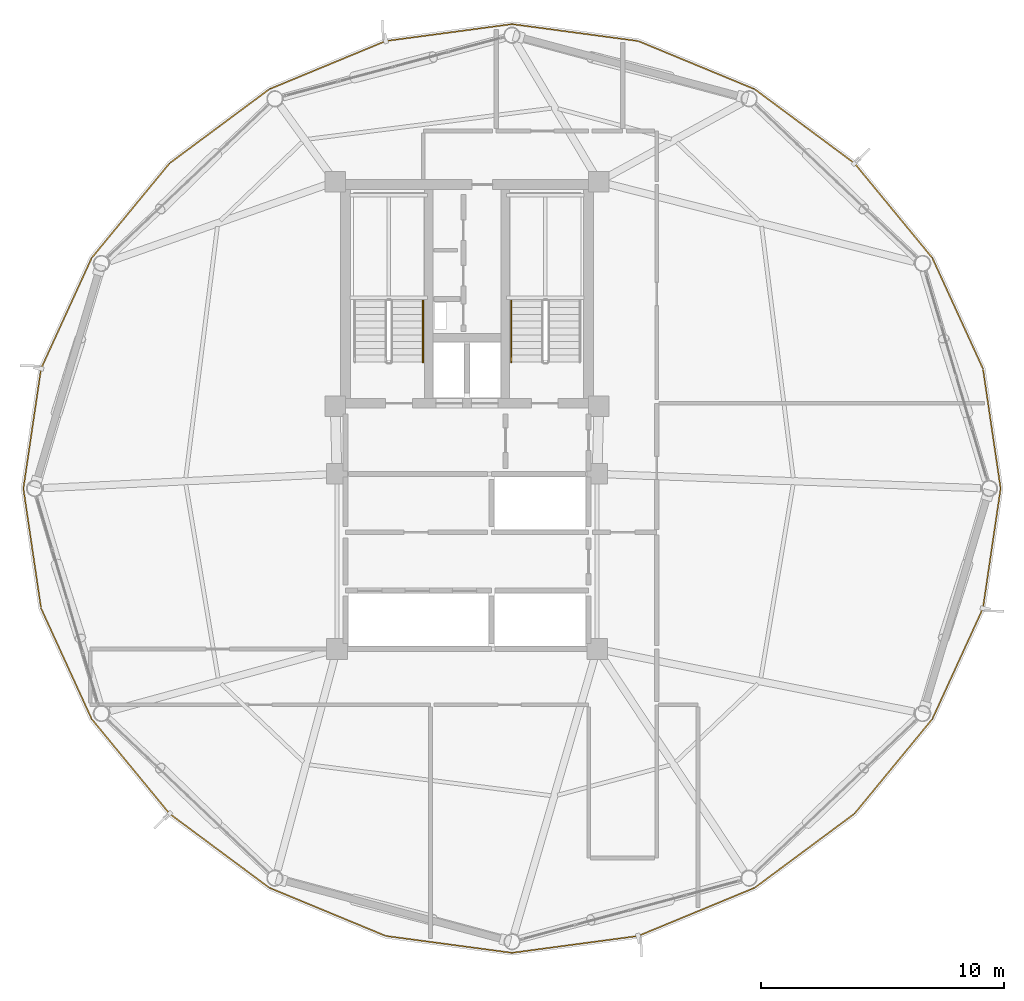
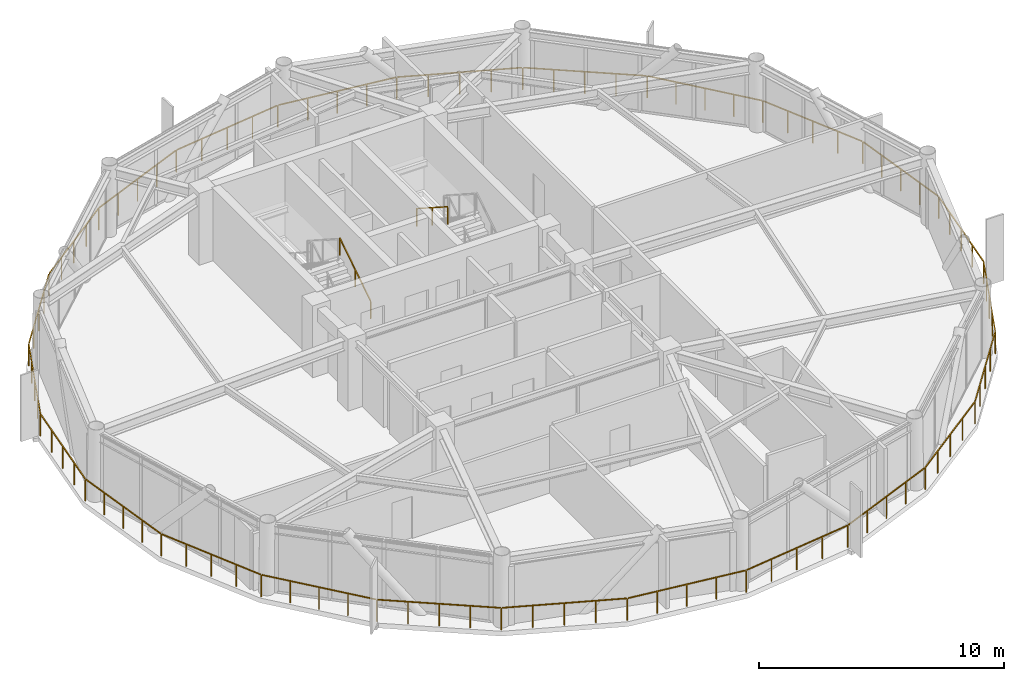
# One storey, part 26 of 28: 3 railings.
"""IFC4 building model written with IfcOpenShell, lengths in metres."""

from ifc_helpers import new_model, si_unit, direction, frame, origin, origin_2d, place, context, subcontext, project, spatial, rectangle, extrude, material, type_object, element, save


model = new_model("IFC4")

# Units and contexts
model_context = context("Model", 3, precision=1e-05, world=origin(), true_north=direction((0.0, 1.0)))
body_context = subcontext(model_context, "Body", "Model", "MODEL_VIEW")
ifc_project = project(units=[si_unit("LENGTHUNIT", "METRE"), si_unit("AREAUNIT", "SQUARE_METRE"), si_unit("VOLUMEUNIT", "CUBIC_METRE"), si_unit("PLANEANGLEUNIT", "RADIAN"), si_unit("MASSUNIT", "GRAM", prefix="KILO")], contexts=[model_context])

# Site, building, storey
site_placement = place(None, origin())
site = spatial("IfcSite", under=ifc_project, at=site_placement, CompositionType="ELEMENT")
building_placement = place(site_placement, origin())
building = spatial("IfcBuilding", under=site, at=building_placement, Name="Varnakorn Sky Granary", CompositionType="ELEMENT")
storey_placement = place(building_placement, frame((0.0, 0.0, 186.0)))
storey = spatial("IfcBuildingStorey", under=building, at=storey_placement, Name="L46", CompositionType="ELEMENT", Elevation=186.0)

# Railings
ifc_material_1 = material(Name="Anodised Bronze Aluminium Alloy 6063-T6", Category="aluminium")
railing_type_1 = type_object("IfcRailingType", Name="RL-BAL-1120", PredefinedType="BALUSTRADE", material=ifc_material_1)
railing_1_placement = place(storey_placement, frame((24.94580078125, 0.0, 0.0)))
element("IfcRailing", 1, at=railing_1_placement, inside=storey, type_object=railing_type_1, Name="Perimeter Slab-Edge Safety Guard L46", PredefinedType="BALUSTRADE", context=body_context, shape_type="SweptSolid", body=[
    extrude(rectangle(XDim=0.048095703125, YDim=0.048095703125, at=origin_2d()), frame((-0.004150390625, -0.027587890625, 1.09619140625), z_axis=(-0.145989178725, -0.989286186953, 0.0), x_axis=(0.989286186953, -0.145989178725, 0.0)), (0.0, 0.0, 1.0), 4.92578125),
    extrude(rectangle(XDim=0.048095703125, YDim=0.048095703125, at=origin_2d()), frame((-0.739013671875, -4.953857421875, 1.09619140625), z_axis=(-0.415765527165, -0.909471839268, 0.0), x_axis=(0.909471839268, -0.415765527165, 0.0)), (0.0, 0.0, 1.0), 4.946533203125),
    extrude(rectangle(XDim=0.048095703125, YDim=0.048095703125, at=origin_2d()), frame((-2.824951171875, -9.499755859375, 1.09619140625), z_axis=(-0.635091283008, -0.772437092745, 0.0), x_axis=(0.772437092745, -0.635091283008, 0.0)), (0.0, 0.0, 1.0), 4.98876953125),
    extrude(rectangle(XDim=0.048095703125, YDim=0.048095703125, at=origin_2d()), frame((-6.033447265625, -13.391357421875, 1.09619140625), z_axis=(-0.802902580686, -0.59611026323, 0.0), x_axis=(0.59611026323, -0.802902580686, 0.0)), (0.0, 0.0, 1.0), 5.054931640625),
    extrude(rectangle(XDim=0.048095703125, YDim=0.048095703125, at=origin_2d()), frame((-10.140380859375, -16.43212890625, 1.09619140625), z_axis=(-0.924091955684, -0.382170194339, 0.0), x_axis=(0.382170194339, -0.924091955684, 0.0)), (0.0, 0.0, 1.0), 5.12939453125),
    extrude(rectangle(XDim=0.048095703125, YDim=0.048095703125, at=origin_2d()), frame((-14.93408203125, -18.40673828125, 1.09619140625), z_axis=(-0.991173652987, -0.13256994239, 0.0), x_axis=(0.13256994239, -0.991173652987, 0.0)), (0.0, 0.0, 1.0), 5.1796875),
    extrude(rectangle(XDim=0.048095703125, YDim=0.048095703125, at=origin_2d()), frame((-20.12353515625, -19.093505859375, 1.09619140625), z_axis=(-0.991174472447, 0.132563815457, 0.0), x_axis=(-0.132563815457, -0.991174472447, 0.0)), (0.0, 0.0, 1.0), 5.179931640625),
    extrude(rectangle(XDim=0.048095703125, YDim=0.048095703125, at=origin_2d()), frame((-25.311279296875, -18.392333984375, 1.09619140625), z_axis=(-0.924091955684, 0.382170194339, 0.0), x_axis=(-0.382170194339, -0.924091955684, 0.0)), (0.0, 0.0, 1.0), 5.12939453125),
    extrude(rectangle(XDim=0.048095703125, YDim=0.048095703125, at=origin_2d()), frame((-30.099609375, -16.40478515625, 1.09619140625), z_axis=(-0.802885605091, 0.596133127026, 0.0), x_axis=(-0.596133127026, -0.802885605091, 0.0)), (0.0, 0.0, 1.0), 5.0546875),
    extrude(rectangle(XDim=0.048095703125, YDim=0.048095703125, at=origin_2d()), frame((-34.1982421875, -13.35302734375, 1.09619140625), z_axis=(-0.63512015716, 0.772413351755, 0.0), x_axis=(-0.772413351755, -0.63512015716, 0.0)), (0.0, 0.0, 1.0), 4.98876953125),
    extrude(rectangle(XDim=0.048095703125, YDim=0.048095703125, at=origin_2d()), frame((-37.396240234375, -9.45263671875, 1.09619140625), z_axis=(-0.415725157831, 0.909490293047, 0.0), x_axis=(-0.909490293047, -0.415725157831, 0.0)), (0.0, 0.0, 1.0), 4.9462890625),
    extrude(rectangle(XDim=0.048095703125, YDim=0.048095703125, at=origin_2d()), frame((-39.46826171875, -4.90087890625, 1.09619140625), z_axis=(-0.146037139854, 0.98927910813, 0.0), x_axis=(-0.98927910813, -0.146037139854, 0.0)), (0.0, 0.0, 1.0), 4.92578125),
    extrude(rectangle(XDim=0.048095703125, YDim=0.048095703125, at=origin_2d()), frame((-40.1875, 0.027587890625, 1.09619140625), z_axis=(0.146037139854, 0.98927910813, 0.0), x_axis=(-0.98927910813, 0.146037139854, 0.0)), (0.0, 0.0, 1.0), 4.92578125),
    extrude(rectangle(XDim=0.048095703125, YDim=0.048095703125, at=origin_2d()), frame((-39.452392578125, 4.953857421875, 1.09619140625), z_axis=(0.415725157831, 0.909490293047, 0.0), x_axis=(-0.909490293047, 0.415725157831, 0.0)), (0.0, 0.0, 1.0), 4.9462890625),
    extrude(rectangle(XDim=0.048095703125, YDim=0.048095703125, at=origin_2d()), frame((-37.36669921875, 9.499755859375, 1.09619140625), z_axis=(0.63512015716, 0.772413351755, 0.0), x_axis=(-0.772413351755, 0.63512015716, 0.0)), (0.0, 0.0, 1.0), 4.98876953125),
    extrude(rectangle(XDim=0.048095703125, YDim=0.048095703125, at=origin_2d()), frame((-34.157958984375, 13.391357421875, 1.09619140625), z_axis=(0.802885605091, 0.596133127026, 0.0), x_axis=(-0.596133127026, 0.802885605091, 0.0)), (0.0, 0.0, 1.0), 5.0546875),
    extrude(rectangle(XDim=0.048095703125, YDim=0.048095703125, at=origin_2d()), frame((-30.05126953125, 16.43212890625, 1.09619140625), z_axis=(0.924091955684, 0.382170194339, 0.0), x_axis=(-0.382170194339, 0.924091955684, 0.0)), (0.0, 0.0, 1.0), 5.12939453125),
    extrude(rectangle(XDim=0.048095703125, YDim=0.048095703125, at=origin_2d()), frame((-25.257568359375, 18.40673828125, 1.09619140625), z_axis=(0.991174472447, 0.132563815457, 0.0), x_axis=(-0.132563815457, 0.991174472447, 0.0)), (0.0, 0.0, 1.0), 5.179931640625),
    extrude(rectangle(XDim=0.048095703125, YDim=0.048095703125, at=origin_2d()), frame((-20.06787109375, 19.093505859375, 1.09619140625), z_axis=(0.991173652987, -0.13256994239, 0.0), x_axis=(0.13256994239, 0.991173652987, 0.0)), (0.0, 0.0, 1.0), 5.1796875),
    extrude(rectangle(XDim=0.048095703125, YDim=0.048095703125, at=origin_2d()), frame((-14.88037109375, 18.392333984375, 1.09619140625), z_axis=(0.924091955684, -0.382170194339, 0.0), x_axis=(0.382170194339, 0.924091955684, 0.0)), (0.0, 0.0, 1.0), 5.12939453125),
    extrude(rectangle(XDim=0.048095703125, YDim=0.048095703125, at=origin_2d()), frame((-10.092041015625, 16.40478515625, 1.09619140625), z_axis=(0.802902580686, -0.59611026323, 0.0), x_axis=(0.59611026323, 0.802902580686, 0.0)), (0.0, 0.0, 1.0), 5.054931640625),
    extrude(rectangle(XDim=0.048095703125, YDim=0.048095703125, at=origin_2d()), frame((-5.9931640625, 13.35302734375, 1.09619140625), z_axis=(0.635091283008, -0.772437092745, 0.0), x_axis=(0.772437092745, 0.635091283008, 0.0)), (0.0, 0.0, 1.0), 4.98876953125),
    extrude(rectangle(XDim=0.048095703125, YDim=0.048095703125, at=origin_2d()), frame((-2.79541015625, 9.45263671875, 1.09619140625), z_axis=(0.415765527165, -0.909471839268, 0.0), x_axis=(0.909471839268, 0.415765527165, 0.0)), (0.0, 0.0, 1.0), 4.946533203125),
    extrude(rectangle(XDim=0.048095703125, YDim=0.048095703125, at=origin_2d()), frame((-0.72314453125, 4.90087890625, 1.09619140625), z_axis=(0.145989178725, -0.989286186953, 0.0), x_axis=(0.989286186953, 0.145989178725, 0.0)), (0.0, 0.0, 1.0), 4.92578125),
    extrude(rectangle(XDim=0.0419921875, YDim=0.0419921875, at=origin_2d()), origin(), (0.0, 0.0, 1.0), 1.068115234375),
    extrude(rectangle(XDim=0.0419921875, YDim=0.0419921875, at=origin_2d()), frame((-0.181884765625, -1.232177734375, 0.0)), (0.0, 0.0, 1.0), 1.068115234375),
    extrude(rectangle(XDim=0.0419921875, YDim=0.0419921875, at=origin_2d()), frame((-0.36376953125, -2.46435546875, 0.0)), (0.0, 0.0, 1.0), 1.068115234375),
    extrude(rectangle(XDim=0.0419921875, YDim=0.0419921875, at=origin_2d()), frame((-0.54541015625, -3.6962890625, 0.0)), (0.0, 0.0, 1.0), 1.068115234375),
    extrude(rectangle(XDim=0.0419921875, YDim=0.0419921875, at=origin_2d()), frame((-0.727294921875, -4.928466796875, 0.0)), (0.0, 0.0, 1.0), 1.068115234375),
    extrude(rectangle(XDim=0.0419921875, YDim=0.0419921875, at=origin_2d()), frame((-1.247314453125, -6.06591796875, 0.0)), (0.0, 0.0, 1.0), 1.068115234375),
    extrude(rectangle(XDim=0.0419921875, YDim=0.0419921875, at=origin_2d()), frame((-1.76708984375, -7.203125, 0.0)), (0.0, 0.0, 1.0), 1.068115234375),
    extrude(rectangle(XDim=0.0419921875, YDim=0.0419921875, at=origin_2d()), frame((-2.287109375, -8.340576171875, 0.0)), (0.0, 0.0, 1.0), 1.068115234375),
    extrude(rectangle(XDim=0.0419921875, YDim=0.0419921875, at=origin_2d()), frame((-2.80712890625, -9.47802734375, 0.0)), (0.0, 0.0, 1.0), 1.068115234375),
    extrude(rectangle(XDim=0.0419921875, YDim=0.0419921875, at=origin_2d()), frame((-3.608154296875, -10.4521484375, 0.0)), (0.0, 0.0, 1.0), 1.068115234375),
    extrude(rectangle(XDim=0.0419921875, YDim=0.0419921875, at=origin_2d()), frame((-4.4091796875, -11.42626953125, 0.0)), (0.0, 0.0, 1.0), 1.068115234375),
    extrude(rectangle(XDim=0.0419921875, YDim=0.0419921875, at=origin_2d()), frame((-5.2099609375, -12.400634765625, 0.0)), (0.0, 0.0, 1.0), 1.068115234375),
    extrude(rectangle(XDim=0.0419921875, YDim=0.0419921875, at=origin_2d()), frame((-6.010986328125, -13.374755859375, 0.0)), (0.0, 0.0, 1.0), 1.068115234375),
    extrude(rectangle(XDim=0.0419921875, YDim=0.0419921875, at=origin_2d()), frame((-7.036865234375, -14.136474609375, 0.0)), (0.0, 0.0, 1.0), 1.068115234375),
    extrude(rectangle(XDim=0.0419921875, YDim=0.0419921875, at=origin_2d()), frame((-8.062744140625, -14.89794921875, 0.0)), (0.0, 0.0, 1.0), 1.068115234375),
    extrude(rectangle(XDim=0.0419921875, YDim=0.0419921875, at=origin_2d()), frame((-9.088623046875, -15.65966796875, 0.0)), (0.0, 0.0, 1.0), 1.068115234375),
    extrude(rectangle(XDim=0.0419921875, YDim=0.0419921875, at=origin_2d()), frame((-10.114501953125, -16.42138671875, 0.0)), (0.0, 0.0, 1.0), 1.068115234375),
    extrude(rectangle(XDim=0.0419921875, YDim=0.0419921875, at=origin_2d()), frame((-11.3125, -16.916748046875, 0.0)), (0.0, 0.0, 1.0), 1.068115234375),
    extrude(rectangle(XDim=0.0419921875, YDim=0.0419921875, at=origin_2d()), frame((-12.51025390625, -17.412109375, 0.0)), (0.0, 0.0, 1.0), 1.068115234375),
    extrude(rectangle(XDim=0.0419921875, YDim=0.0419921875, at=origin_2d()), frame((-13.708251953125, -17.90771484375, 0.0)), (0.0, 0.0, 1.0), 1.068115234375),
    extrude(rectangle(XDim=0.0419921875, YDim=0.0419921875, at=origin_2d()), frame((-14.90625, -18.403076171875, 0.0)), (0.0, 0.0, 1.0), 1.068115234375),
    extrude(rectangle(XDim=0.0419921875, YDim=0.0419921875, at=origin_2d()), frame((-16.20361328125, -18.57666015625, 0.0)), (0.0, 0.0, 1.0), 1.068115234375),
    extrude(rectangle(XDim=0.0419921875, YDim=0.0419921875, at=origin_2d()), frame((-17.5009765625, -18.75, 0.0)), (0.0, 0.0, 1.0), 1.068115234375),
    extrude(rectangle(XDim=0.0419921875, YDim=0.0419921875, at=origin_2d()), frame((-18.79833984375, -18.923583984375, 0.0)), (0.0, 0.0, 1.0), 1.068115234375),
    extrude(rectangle(XDim=0.0419921875, YDim=0.0419921875, at=origin_2d()), frame((-20.095703125, -19.09716796875, 0.0)), (0.0, 0.0, 1.0), 1.068115234375),
    extrude(rectangle(XDim=0.0419921875, YDim=0.0419921875, at=origin_2d()), frame((-21.39306640625, -18.923583984375, 0.0)), (0.0, 0.0, 1.0), 1.068115234375),
    extrude(rectangle(XDim=0.0419921875, YDim=0.0419921875, at=origin_2d()), frame((-22.6904296875, -18.75, 0.0)), (0.0, 0.0, 1.0), 1.068115234375),
    extrude(rectangle(XDim=0.0419921875, YDim=0.0419921875, at=origin_2d()), frame((-23.988037109375, -18.57666015625, 0.0)), (0.0, 0.0, 1.0), 1.068115234375),
    extrude(rectangle(XDim=0.0419921875, YDim=0.0419921875, at=origin_2d()), frame((-25.285400390625, -18.403076171875, 0.0)), (0.0, 0.0, 1.0), 1.068115234375),
    extrude(rectangle(XDim=0.0419921875, YDim=0.0419921875, at=origin_2d()), frame((-26.4833984375, -17.90771484375, 0.0)), (0.0, 0.0, 1.0), 1.068115234375),
    extrude(rectangle(XDim=0.0419921875, YDim=0.0419921875, at=origin_2d()), frame((-27.68115234375, -17.412109375, 0.0)), (0.0, 0.0, 1.0), 1.068115234375),
    extrude(rectangle(XDim=0.0419921875, YDim=0.0419921875, at=origin_2d()), frame((-28.879150390625, -16.916748046875, 0.0)), (0.0, 0.0, 1.0), 1.068115234375),
    extrude(rectangle(XDim=0.0419921875, YDim=0.0419921875, at=origin_2d()), frame((-30.0771484375, -16.42138671875, 0.0)), (0.0, 0.0, 1.0), 1.068115234375),
    extrude(rectangle(XDim=0.0419921875, YDim=0.0419921875, at=origin_2d()), frame((-31.10302734375, -15.65966796875, 0.0)), (0.0, 0.0, 1.0), 1.068115234375),
    extrude(rectangle(XDim=0.0419921875, YDim=0.0419921875, at=origin_2d()), frame((-32.12890625, -14.89794921875, 0.0)), (0.0, 0.0, 1.0), 1.068115234375),
    extrude(rectangle(XDim=0.0419921875, YDim=0.0419921875, at=origin_2d()), frame((-33.154541015625, -14.136474609375, 0.0)), (0.0, 0.0, 1.0), 1.068115234375),
    extrude(rectangle(XDim=0.0419921875, YDim=0.0419921875, at=origin_2d()), frame((-34.180419921875, -13.374755859375, 0.0)), (0.0, 0.0, 1.0), 1.068115234375),
    extrude(rectangle(XDim=0.0419921875, YDim=0.0419921875, at=origin_2d()), frame((-34.9814453125, -12.400634765625, 0.0)), (0.0, 0.0, 1.0), 1.068115234375),
    extrude(rectangle(XDim=0.0419921875, YDim=0.0419921875, at=origin_2d()), frame((-35.782470703125, -11.42626953125, 0.0)), (0.0, 0.0, 1.0), 1.068115234375),
    extrude(rectangle(XDim=0.0419921875, YDim=0.0419921875, at=origin_2d()), frame((-36.58349609375, -10.4521484375, 0.0)), (0.0, 0.0, 1.0), 1.068115234375),
    extrude(rectangle(XDim=0.0419921875, YDim=0.0419921875, at=origin_2d()), frame((-37.384521484375, -9.47802734375, 0.0)), (0.0, 0.0, 1.0), 1.068115234375),
    extrude(rectangle(XDim=0.0419921875, YDim=0.0419921875, at=origin_2d()), frame((-37.904296875, -8.340576171875, 0.0)), (0.0, 0.0, 1.0), 1.068115234375),
    extrude(rectangle(XDim=0.0419921875, YDim=0.0419921875, at=origin_2d()), frame((-38.42431640625, -7.203125, 0.0)), (0.0, 0.0, 1.0), 1.068115234375),
    extrude(rectangle(XDim=0.0419921875, YDim=0.0419921875, at=origin_2d()), frame((-38.9443359375, -6.06591796875, 0.0)), (0.0, 0.0, 1.0), 1.068115234375),
    extrude(rectangle(XDim=0.0419921875, YDim=0.0419921875, at=origin_2d()), frame((-39.464111328125, -4.928466796875, 0.0)), (0.0, 0.0, 1.0), 1.068115234375),
    extrude(rectangle(XDim=0.0419921875, YDim=0.0419921875, at=origin_2d()), frame((-39.64599609375, -3.6962890625, 0.0)), (0.0, 0.0, 1.0), 1.068115234375),
    extrude(rectangle(XDim=0.0419921875, YDim=0.0419921875, at=origin_2d()), frame((-39.827880859375, -2.46435546875, 0.0)), (0.0, 0.0, 1.0), 1.068115234375),
    extrude(rectangle(XDim=0.0419921875, YDim=0.0419921875, at=origin_2d()), frame((-40.009765625, -1.232177734375, 0.0)), (0.0, 0.0, 1.0), 1.068115234375),
    extrude(rectangle(XDim=0.0419921875, YDim=0.0419921875, at=origin_2d()), frame((-40.191650390625, 0.0, 0.0)), (0.0, 0.0, 1.0), 1.068115234375),
    extrude(rectangle(XDim=0.0419921875, YDim=0.0419921875, at=origin_2d()), frame((-40.009765625, 1.232177734375, 0.0)), (0.0, 0.0, 1.0), 1.068115234375),
    extrude(rectangle(XDim=0.0419921875, YDim=0.0419921875, at=origin_2d()), frame((-39.827880859375, 2.46435546875, 0.0)), (0.0, 0.0, 1.0), 1.068115234375),
    extrude(rectangle(XDim=0.0419921875, YDim=0.0419921875, at=origin_2d()), frame((-39.64599609375, 3.6962890625, 0.0)), (0.0, 0.0, 1.0), 1.068115234375),
    extrude(rectangle(XDim=0.0419921875, YDim=0.0419921875, at=origin_2d()), frame((-39.464111328125, 4.928466796875, 0.0)), (0.0, 0.0, 1.0), 1.068115234375),
    extrude(rectangle(XDim=0.0419921875, YDim=0.0419921875, at=origin_2d()), frame((-38.9443359375, 6.06591796875, 0.0)), (0.0, 0.0, 1.0), 1.068115234375),
    extrude(rectangle(XDim=0.0419921875, YDim=0.0419921875, at=origin_2d()), frame((-38.42431640625, 7.203125, 0.0)), (0.0, 0.0, 1.0), 1.068115234375),
    extrude(rectangle(XDim=0.0419921875, YDim=0.0419921875, at=origin_2d()), frame((-37.904296875, 8.340576171875, 0.0)), (0.0, 0.0, 1.0), 1.068115234375),
    extrude(rectangle(XDim=0.0419921875, YDim=0.0419921875, at=origin_2d()), frame((-37.384521484375, 9.47802734375, 0.0)), (0.0, 0.0, 1.0), 1.068115234375),
    extrude(rectangle(XDim=0.0419921875, YDim=0.0419921875, at=origin_2d()), frame((-36.58349609375, 10.4521484375, 0.0)), (0.0, 0.0, 1.0), 1.068115234375),
    extrude(rectangle(XDim=0.0419921875, YDim=0.0419921875, at=origin_2d()), frame((-35.782470703125, 11.42626953125, 0.0)), (0.0, 0.0, 1.0), 1.068115234375),
    extrude(rectangle(XDim=0.0419921875, YDim=0.0419921875, at=origin_2d()), frame((-34.9814453125, 12.400634765625, 0.0)), (0.0, 0.0, 1.0), 1.068115234375),
    extrude(rectangle(XDim=0.0419921875, YDim=0.0419921875, at=origin_2d()), frame((-34.180419921875, 13.374755859375, 0.0)), (0.0, 0.0, 1.0), 1.068115234375),
    extrude(rectangle(XDim=0.0419921875, YDim=0.0419921875, at=origin_2d()), frame((-33.154541015625, 14.136474609375, 0.0)), (0.0, 0.0, 1.0), 1.068115234375),
    extrude(rectangle(XDim=0.0419921875, YDim=0.0419921875, at=origin_2d()), frame((-32.12890625, 14.89794921875, 0.0)), (0.0, 0.0, 1.0), 1.068115234375),
    extrude(rectangle(XDim=0.0419921875, YDim=0.0419921875, at=origin_2d()), frame((-31.10302734375, 15.65966796875, 0.0)), (0.0, 0.0, 1.0), 1.068115234375),
    extrude(rectangle(XDim=0.0419921875, YDim=0.0419921875, at=origin_2d()), frame((-30.0771484375, 16.42138671875, 0.0)), (0.0, 0.0, 1.0), 1.068115234375),
    extrude(rectangle(XDim=0.0419921875, YDim=0.0419921875, at=origin_2d()), frame((-28.879150390625, 16.916748046875, 0.0)), (0.0, 0.0, 1.0), 1.068115234375),
    extrude(rectangle(XDim=0.0419921875, YDim=0.0419921875, at=origin_2d()), frame((-27.68115234375, 17.412109375, 0.0)), (0.0, 0.0, 1.0), 1.068115234375),
    extrude(rectangle(XDim=0.0419921875, YDim=0.0419921875, at=origin_2d()), frame((-26.4833984375, 17.90771484375, 0.0)), (0.0, 0.0, 1.0), 1.068115234375),
    extrude(rectangle(XDim=0.0419921875, YDim=0.0419921875, at=origin_2d()), frame((-25.285400390625, 18.403076171875, 0.0)), (0.0, 0.0, 1.0), 1.068115234375),
    extrude(rectangle(XDim=0.0419921875, YDim=0.0419921875, at=origin_2d()), frame((-23.988037109375, 18.57666015625, 0.0)), (0.0, 0.0, 1.0), 1.068115234375),
    extrude(rectangle(XDim=0.0419921875, YDim=0.0419921875, at=origin_2d()), frame((-22.6904296875, 18.75, 0.0)), (0.0, 0.0, 1.0), 1.068115234375),
    extrude(rectangle(XDim=0.0419921875, YDim=0.0419921875, at=origin_2d()), frame((-21.39306640625, 18.923583984375, 0.0)), (0.0, 0.0, 1.0), 1.068115234375),
    extrude(rectangle(XDim=0.0419921875, YDim=0.0419921875, at=origin_2d()), frame((-20.095703125, 19.09716796875, 0.0)), (0.0, 0.0, 1.0), 1.068115234375),
    extrude(rectangle(XDim=0.0419921875, YDim=0.0419921875, at=origin_2d()), frame((-18.79833984375, 18.923583984375, 0.0)), (0.0, 0.0, 1.0), 1.068115234375),
    extrude(rectangle(XDim=0.0419921875, YDim=0.0419921875, at=origin_2d()), frame((-17.5009765625, 18.75, 0.0)), (0.0, 0.0, 1.0), 1.068115234375),
    extrude(rectangle(XDim=0.0419921875, YDim=0.0419921875, at=origin_2d()), frame((-16.20361328125, 18.57666015625, 0.0)), (0.0, 0.0, 1.0), 1.068115234375),
    extrude(rectangle(XDim=0.0419921875, YDim=0.0419921875, at=origin_2d()), frame((-14.90625, 18.403076171875, 0.0)), (0.0, 0.0, 1.0), 1.068115234375),
    extrude(rectangle(XDim=0.0419921875, YDim=0.0419921875, at=origin_2d()), frame((-13.708251953125, 17.90771484375, 0.0)), (0.0, 0.0, 1.0), 1.068115234375),
    extrude(rectangle(XDim=0.0419921875, YDim=0.0419921875, at=origin_2d()), frame((-12.51025390625, 17.412109375, 0.0)), (0.0, 0.0, 1.0), 1.068115234375),
    extrude(rectangle(XDim=0.0419921875, YDim=0.0419921875, at=origin_2d()), frame((-11.3125, 16.916748046875, 0.0)), (0.0, 0.0, 1.0), 1.068115234375),
    extrude(rectangle(XDim=0.0419921875, YDim=0.0419921875, at=origin_2d()), frame((-10.114501953125, 16.42138671875, 0.0)), (0.0, 0.0, 1.0), 1.068115234375),
    extrude(rectangle(XDim=0.0419921875, YDim=0.0419921875, at=origin_2d()), frame((-9.088623046875, 15.65966796875, 0.0)), (0.0, 0.0, 1.0), 1.068115234375),
    extrude(rectangle(XDim=0.0419921875, YDim=0.0419921875, at=origin_2d()), frame((-8.062744140625, 14.89794921875, 0.0)), (0.0, 0.0, 1.0), 1.068115234375),
    extrude(rectangle(XDim=0.0419921875, YDim=0.0419921875, at=origin_2d()), frame((-7.036865234375, 14.136474609375, 0.0)), (0.0, 0.0, 1.0), 1.068115234375),
    extrude(rectangle(XDim=0.0419921875, YDim=0.0419921875, at=origin_2d()), frame((-6.010986328125, 13.374755859375, 0.0)), (0.0, 0.0, 1.0), 1.068115234375),
    extrude(rectangle(XDim=0.0419921875, YDim=0.0419921875, at=origin_2d()), frame((-5.2099609375, 12.400634765625, 0.0)), (0.0, 0.0, 1.0), 1.068115234375),
    extrude(rectangle(XDim=0.0419921875, YDim=0.0419921875, at=origin_2d()), frame((-4.4091796875, 11.42626953125, 0.0)), (0.0, 0.0, 1.0), 1.068115234375),
    extrude(rectangle(XDim=0.0419921875, YDim=0.0419921875, at=origin_2d()), frame((-3.608154296875, 10.4521484375, 0.0)), (0.0, 0.0, 1.0), 1.068115234375),
    extrude(rectangle(XDim=0.0419921875, YDim=0.0419921875, at=origin_2d()), frame((-2.80712890625, 9.47802734375, 0.0)), (0.0, 0.0, 1.0), 1.068115234375),
    extrude(rectangle(XDim=0.0419921875, YDim=0.0419921875, at=origin_2d()), frame((-2.287109375, 8.340576171875, 0.0)), (0.0, 0.0, 1.0), 1.068115234375),
    extrude(rectangle(XDim=0.0419921875, YDim=0.0419921875, at=origin_2d()), frame((-1.76708984375, 7.203125, 0.0)), (0.0, 0.0, 1.0), 1.068115234375),
    extrude(rectangle(XDim=0.0419921875, YDim=0.0419921875, at=origin_2d()), frame((-1.247314453125, 6.06591796875, 0.0)), (0.0, 0.0, 1.0), 1.068115234375),
    extrude(rectangle(XDim=0.0419921875, YDim=0.0419921875, at=origin_2d()), frame((-0.727294921875, 4.928466796875, 0.0)), (0.0, 0.0, 1.0), 1.068115234375),
    extrude(rectangle(XDim=0.0419921875, YDim=0.0419921875, at=origin_2d()), frame((-0.54541015625, 3.6962890625, 0.0)), (0.0, 0.0, 1.0), 1.068115234375),
    extrude(rectangle(XDim=0.0419921875, YDim=0.0419921875, at=origin_2d()), frame((-0.36376953125, 2.46435546875, 0.0)), (0.0, 0.0, 1.0), 1.068115234375),
    extrude(rectangle(XDim=0.0419921875, YDim=0.0419921875, at=origin_2d()), frame((-0.181884765625, 1.232177734375, 0.0)), (0.0, 0.0, 1.0), 1.068115234375),
])
ifc_material_2 = material(Name="Brushed Stainless Steel 316", Category="steel")
railing_type_2 = type_object("IfcRailingType", Name="RL-STAIR-920", PredefinedType="HANDRAIL", material=ifc_material_2)
railing_2_placement = place(storey_placement, frame((1.18994140625, 5.199951171875, 0.179931640625)))
element("IfcRailing", 2, at=railing_2_placement, inside=storey, type_object=railing_type_2, Name="L46 ST-1 stair handrail 1", PredefinedType="HANDRAIL", context=body_context, shape_type="SweptSolid", body=[
    extrude(rectangle(XDim=0.048095703125, YDim=0.048095703125, at=origin_2d()), frame((0.0, 0.0, 0.8759765625), z_axis=(0.0, 0.841162588446, 0.540782303519), x_axis=(-1.0, 0.0, 0.0)), (0.0, 0.0, 1.0), 2.995849609375),
    extrude(rectangle(XDim=0.0419921875, YDim=0.0419921875, at=origin_2d()), origin(), (0.0, 0.0, 1.0), 0.847900390625),
    extrude(rectangle(XDim=0.0419921875, YDim=0.0419921875, at=origin_2d()), frame((0.0, 1.260009765625, 0.81005859375)), (0.0, 0.0, 1.0), 0.847900390625),
    extrude(rectangle(XDim=0.0419921875, YDim=0.0419921875, at=origin_2d()), frame((0.0, 2.52001953125, 1.6201171875)), (0.0, 0.0, 1.0), 0.847900390625),
])
railing_3_placement = place(storey_placement, frame((4.820068359375, 7.719970703125, 1.97998046875)))
element("IfcRailing", 3, at=railing_3_placement, inside=storey, type_object=railing_type_2, Name="L46 ST-2 stair handrail 2", PredefinedType="HANDRAIL", context=body_context, shape_type="SweptSolid", body=[
    extrude(rectangle(XDim=0.048095703125, YDim=0.048095703125, at=origin_2d()), frame((0.0, 0.0, 0.8759765625), z_axis=(0.0, -0.841162588446, 0.540782303519), x_axis=(1.0, 0.0, 0.0)), (0.0, 0.0, 1.0), 2.995849609375),
    extrude(rectangle(XDim=0.0419921875, YDim=0.0419921875, at=origin_2d()), origin(), (0.0, 0.0, 1.0), 0.847900390625),
    extrude(rectangle(XDim=0.0419921875, YDim=0.0419921875, at=origin_2d()), frame((0.0, -1.260009765625, 0.81005859375)), (0.0, 0.0, 1.0), 0.847900390625),
    extrude(rectangle(XDim=0.0419921875, YDim=0.0419921875, at=origin_2d()), frame((0.0, -2.52001953125, 1.6201171875)), (0.0, 0.0, 1.0), 0.847900390625),
])

save(model, "model.ifc")
